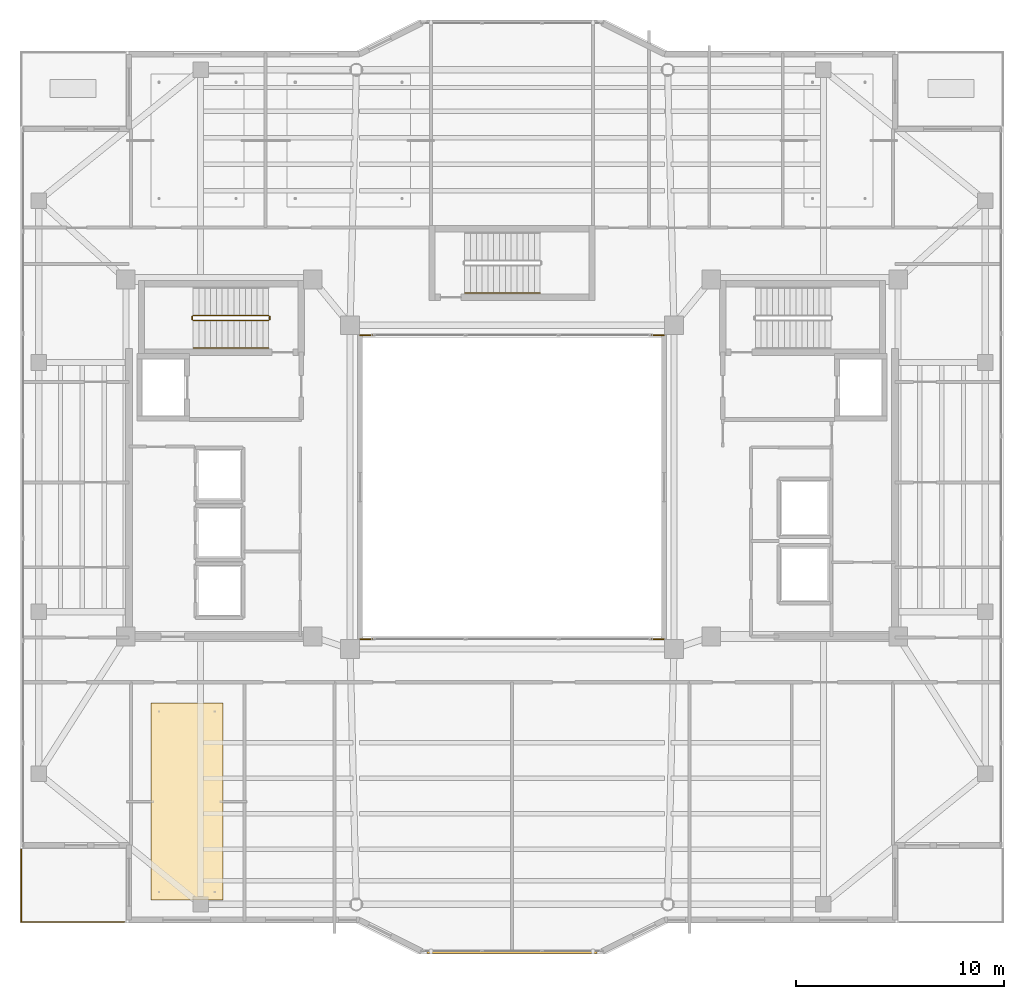
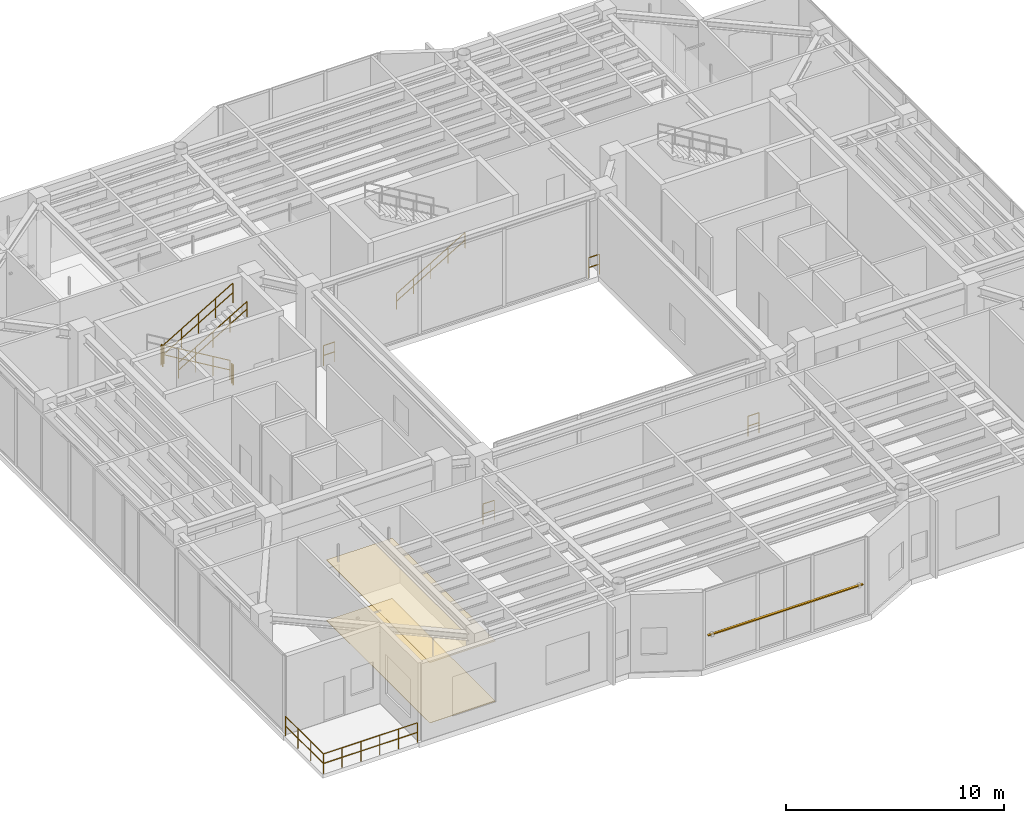
# One storey, part 31 of 34: 12 railings, 2 coverings, 1 shading device.
"""IFC4 building model written with IfcOpenShell, lengths in metres."""

from ifc_helpers import new_model, si_unit, direction, frame, origin, origin_2d, place, context, subcontext, project, spatial, polyline, rectangle, circle, outline, extrude, material, layer, layer_set, material_profile, profile_set, type_object, element, save


model = new_model("IFC4")

# Units and contexts
model_context = context("Model", 3, precision=1e-05, world=origin(), true_north=direction((0.0, 1.0)))
body_context = subcontext(model_context, "Body", "Model", "MODEL_VIEW")
ifc_project = project(units=[si_unit("LENGTHUNIT", "METRE"), si_unit("AREAUNIT", "SQUARE_METRE"), si_unit("VOLUMEUNIT", "CUBIC_METRE"), si_unit("PLANEANGLEUNIT", "RADIAN"), si_unit("MASSUNIT", "GRAM", prefix="KILO")], contexts=[model_context])

# Site, building, storey
site_placement = place(None, origin())
site = spatial("IfcSite", under=ifc_project, at=site_placement, CompositionType="ELEMENT")
building_placement = place(site_placement, origin())
building = spatial("IfcBuilding", under=site, at=building_placement, Name="Tarnavaz Court Tower", CompositionType="ELEMENT")
storey_placement = place(building_placement, frame((0.0, 0.0, 231.75)))
storey = spatial("IfcBuildingStorey", under=building, at=storey_placement, Name="L63", CompositionType="ELEMENT", Elevation=231.75)

# Coverings
ifc_material_1 = material(Name="Perforated Gypsum Acoustic Ceiling Tile", Category="masonry")
ifc_layer_1 = layer(ifc_material_1, 0.02490234375)
ifc_layer_set_1 = layer_set([ifc_layer_1], Name="Perforated Gypsum Acoustic Ceiling Tile")
covering_type_1 = type_object("IfcCoveringType", Name="CV-CEIL-AC", PredefinedType="CEILING", material=ifc_layer_set_1)
covering_1_placement = place(storey_placement, frame((0.0, 0.0, 3.3798828125)))
element("IfcCovering", 1, at=covering_1_placement, inside=storey, type_object=covering_type_1, Name="L63 L63 Daycare Classroom Suspended Acoustic Ceiling", PredefinedType="CEILING", context=body_context, shape_type="SweptSolid", body=[
    extrude(outline(polyline([(-17.39990234375, -19.89990234375), (-13.919921875, -19.89990234375), (-13.919921875, -10.409912109375), (-17.39990234375, -10.409912109375), (-17.39990234375, -19.89990234375)])), origin(), (0.0, 0.0, 1.0), 0.025146484375),
])
ifc_material_2 = material(Name="Glazed Khorasan Porcelain Floor Tile", Category="masonry")
ifc_layer_2 = layer(ifc_material_2, 0.02001953125)
ifc_layer_set_2 = layer_set([ifc_layer_2], Name="Glazed Khorasan Porcelain Floor Tile")
covering_type_2 = type_object("IfcCoveringType", Name="CV-FLR-PORC", PredefinedType="FLOORING", material=ifc_layer_set_2)
covering_2_placement = place(storey_placement, origin())
element("IfcCovering", 2, at=covering_2_placement, inside=storey, type_object=covering_type_2, Name="L63 L63 Daycare Classroom Porcelain Floor Finish", PredefinedType="FLOORING", context=body_context, shape_type="SweptSolid", body=[
    extrude(outline(polyline([(-17.39990234375, -19.89990234375), (-13.919921875, -19.89990234375), (-13.919921875, -10.409912109375), (-17.39990234375, -10.409912109375), (-17.39990234375, -19.89990234375)])), origin(), (0.0, 0.0, 1.0), 0.02001953125),
])

# Railings
ifc_material_3 = material(Name="Anodised Aluminium 6063-T6 and Laminated Safety Glass", Category="aluminium")
railing_type_1 = type_object("IfcRailingType", Name="RL-BAL-1120", PredefinedType="BALUSTRADE", material=ifc_material_3)
for number, where, name in (
    (3, (-7.320068359375, -7.320068359375, 0.0), "L63 Courtyard Corner Balustrade S-A"),
    (4, (6.719970703125, -7.320068359375, 0.0), "L63 Courtyard Corner Balustrade S-B"),
):
    element("IfcRailing", number, at=place(storey_placement, frame(where)), inside=storey, type_object=railing_type_1, Name=name, PredefinedType="BALUSTRADE", context=body_context, shape_type="SweptSolid", body=[
        extrude(circle(Radius=0.02392578125, at=origin_2d()), frame((0.0, 0.0, 1.1259765625), z_axis=(1.0, 0.0, 0.0), x_axis=(0.0, 1.0, 0.0)), (0.0, 0.0, 1.0), 0.60009765625),
        extrude(circle(Radius=0.02392578125, at=origin_2d()), frame((0.0, 0.0, 0.574951171875), z_axis=(1.0, 0.0, 0.0), x_axis=(0.0, 1.0, 0.0)), (0.0, 0.0, 1.0), 0.60009765625),
        extrude(circle(Radius=0.02099609375, at=origin_2d()), origin(), (0.0, 0.0, 1.0), 1.101806640625),
        extrude(circle(Radius=0.02099609375, at=origin_2d()), frame((0.60009765625, 0.0, 0.0)), (0.0, 0.0, 1.0), 1.101806640625),
    ])
for number, where, name in (
    (5, (7.320068359375, 7.320068359375, 0.0), "L63 Courtyard Corner Balustrade N-A"),
    (6, (-6.719970703125, 7.320068359375, 0.0), "L63 Courtyard Corner Balustrade N-B"),
):
    element("IfcRailing", number, at=place(storey_placement, frame(where)), inside=storey, type_object=railing_type_1, Name=name, PredefinedType="BALUSTRADE", context=body_context, shape_type="SweptSolid", body=[
        extrude(circle(Radius=0.02392578125, at=origin_2d()), frame((0.0, 0.0, 1.1259765625), z_axis=(-1.0, 0.0, 0.0), x_axis=(0.0, -1.0, 0.0)), (0.0, 0.0, 1.0), 0.60009765625),
        extrude(circle(Radius=0.02392578125, at=origin_2d()), frame((0.0, 0.0, 0.574951171875), z_axis=(-1.0, 0.0, 0.0), x_axis=(0.0, -1.0, 0.0)), (0.0, 0.0, 1.0), 0.60009765625),
        extrude(circle(Radius=0.02099609375, at=origin_2d()), origin(), (0.0, 0.0, 1.0), 1.101806640625),
        extrude(circle(Radius=0.02099609375, at=origin_2d()), frame((-0.60009765625, 0.0, 0.0)), (0.0, 0.0, 1.0), 1.101806640625),
    ])
railing_1_placement = place(storey_placement, frame((-23.639892578125, -20.93994140625, 0.0)))
element("IfcRailing", 7, at=railing_1_placement, inside=storey, type_object=railing_type_1, Name="L63 Terrace 4 S Perimeter Balustrade", PredefinedType="BALUSTRADE", context=body_context, shape_type="SweptSolid", body=[
    extrude(circle(Radius=0.02392578125, at=origin_2d()), frame((0.0, 0.0, 1.09619140625), z_axis=(1.0, 0.0, 0.0), x_axis=(0.0, 1.0, 0.0)), (0.0, 0.0, 1.0), 4.97998046875),
    extrude(circle(Radius=0.02392578125, at=origin_2d()), frame((0.0, 0.0, 0.56005859375), z_axis=(1.0, 0.0, 0.0), x_axis=(0.0, 1.0, 0.0)), (0.0, 0.0, 1.0), 4.97998046875),
    extrude(circle(Radius=0.02099609375, at=origin_2d()), origin(), (0.0, 0.0, 1.0), 1.072021484375),
    extrude(circle(Radius=0.02099609375, at=origin_2d()), frame((0.99609375, 0.0, 0.0)), (0.0, 0.0, 1.0), 1.072021484375),
    extrude(circle(Radius=0.02099609375, at=origin_2d()), frame((1.991943359375, 0.0, 0.0)), (0.0, 0.0, 1.0), 1.072021484375),
    extrude(circle(Radius=0.02099609375, at=origin_2d()), frame((2.988037109375, 0.0, 0.0)), (0.0, 0.0, 1.0), 1.072021484375),
    extrude(circle(Radius=0.02099609375, at=origin_2d()), frame((3.98388671875, 0.0, 0.0)), (0.0, 0.0, 1.0), 1.072021484375),
    extrude(circle(Radius=0.02099609375, at=origin_2d()), frame((4.97998046875, 0.0, 0.0)), (0.0, 0.0, 1.0), 1.072021484375),
])
railing_2_placement = place(storey_placement, frame((-23.639892578125, -17.4599609375, 0.0)))
element("IfcRailing", 8, at=railing_2_placement, inside=storey, type_object=railing_type_1, Name="L63 Terrace 4 W Perimeter Balustrade", PredefinedType="BALUSTRADE", context=body_context, shape_type="SweptSolid", body=[
    extrude(circle(Radius=0.02392578125, at=origin_2d()), frame((0.0, 0.0, 1.09619140625), z_axis=(0.0, -1.0, 0.0), x_axis=(1.0, 0.0, 0.0)), (0.0, 0.0, 1.0), 3.47998046875),
    extrude(circle(Radius=0.02392578125, at=origin_2d()), frame((0.0, 0.0, 0.56005859375), z_axis=(0.0, -1.0, 0.0), x_axis=(1.0, 0.0, 0.0)), (0.0, 0.0, 1.0), 3.47998046875),
    extrude(circle(Radius=0.02099609375, at=origin_2d()), origin(), (0.0, 0.0, 1.0), 1.072021484375),
    extrude(circle(Radius=0.02099609375, at=origin_2d()), frame((0.0, -1.159912109375, 0.0)), (0.0, 0.0, 1.0), 1.072021484375),
    extrude(circle(Radius=0.02099609375, at=origin_2d()), frame((0.0, -2.320068359375, 0.0)), (0.0, 0.0, 1.0), 1.072021484375),
    extrude(circle(Radius=0.02099609375, at=origin_2d()), frame((0.0, -3.47998046875, 0.0)), (0.0, 0.0, 1.0), 1.072021484375),
])
ifc_material_4 = material(Name="Brushed Stainless Steel", Category="steel")
railing_type_2 = type_object("IfcRailingType", Name="RL-HANDRAIL-900", PredefinedType="HANDRAIL", material=ifc_material_4)
for number, where, name in (
    (9, (-15.360107421875, 6.699951171875, 2.490966796875), "L63 ST-W1 stair handrail 2"),
    (10, (-2.280029296875, 9.35009765625, 0.166015625), "L63 ST-N1 stair handrail 1"),
):
    element("IfcRailing", number, at=place(storey_placement, frame(where)), inside=storey, type_object=railing_type_2, Name=name, PredefinedType="HANDRAIL", context=body_context, shape_type="SweptSolid", body=[
        extrude(circle(Radius=0.02392578125, at=origin_2d()), frame((0.0, 0.0, 0.8759765625), z_axis=(0.860103130531, 0.0, 0.510120186672), x_axis=(0.0, 1.0, 0.0)), (0.0, 0.0, 1.0), 4.232177734375),
        extrude(circle(Radius=0.02392578125, at=origin_2d()), frame((0.0, 0.0, 0.449951171875), z_axis=(0.860103130531, 0.0, 0.510120186672), x_axis=(0.0, 1.0, 0.0)), (0.0, 0.0, 1.0), 4.232177734375),
        extrude(circle(Radius=0.02099609375, at=origin_2d()), origin(), (0.0, 0.0, 1.0), 0.851806640625),
        extrude(circle(Radius=0.02099609375, at=origin_2d()), frame((0.91015625, 0.0, 0.539794921875)), (0.0, 0.0, 1.0), 0.851806640625),
        extrude(circle(Radius=0.02099609375, at=origin_2d()), frame((1.820068359375, 0.0, 1.07958984375)), (0.0, 0.0, 1.0), 0.851806640625),
        extrude(circle(Radius=0.02099609375, at=origin_2d()), frame((2.72998046875, 0.0, 1.619140625)), (0.0, 0.0, 1.0), 0.851806640625),
        extrude(circle(Radius=0.02099609375, at=origin_2d()), frame((3.64013671875, 0.0, 2.158935546875)), (0.0, 0.0, 1.0), 0.851806640625),
    ])
ifc_material_5 = material(Name="Galvanized Painted Tubular Steel", Category="steel")
railing_type_3 = type_object("IfcRailingType", Name="RL-STGUARD-1120", PredefinedType="GUARDRAIL", material=ifc_material_5)
railing_3_placement = place(storey_placement, frame((-11.719970703125, 8.27001953125, 0.166015625)))
element("IfcRailing", 11, at=railing_3_placement, inside=storey, type_object=railing_type_3, Name="L63 ST-W1 stair guard 1", PredefinedType="GUARDRAIL", context=body_context, shape_type="SweptSolid", body=[
    extrude(circle(Radius=0.02392578125, at=origin_2d()), frame((0.0, 0.0, 1.09619140625), z_axis=(-0.860103130531, 0.0, 0.510120186672), x_axis=(0.0, -1.0, 0.0)), (0.0, 0.0, 1.0), 4.232177734375),
    extrude(circle(Radius=0.02392578125, at=origin_2d()), frame((0.0, 0.0, 0.56005859375), z_axis=(-0.860103130531, 0.0, 0.510120186672), x_axis=(0.0, -1.0, 0.0)), (0.0, 0.0, 1.0), 4.232177734375),
    extrude(circle(Radius=0.02099609375, at=origin_2d()), origin(), (0.0, 0.0, 1.0), 1.072021484375),
    extrude(circle(Radius=0.02099609375, at=origin_2d()), frame((-0.91015625, 0.0, 0.539794921875)), (0.0, 0.0, 1.0), 1.072021484375),
    extrude(circle(Radius=0.02099609375, at=origin_2d()), frame((-1.820068359375, 0.0, 1.07958984375)), (0.0, 0.0, 1.0), 1.072021484375),
    extrude(circle(Radius=0.02099609375, at=origin_2d()), frame((-2.72998046875, 0.0, 1.619140625)), (0.0, 0.0, 1.0), 1.072021484375),
    extrude(circle(Radius=0.02099609375, at=origin_2d()), frame((-3.64013671875, 0.0, 2.158935546875)), (0.0, 0.0, 1.0), 1.072021484375),
])
railing_4_placement = place(storey_placement, frame((-15.409912109375, 8.219970703125, 2.324951171875)))
element("IfcRailing", 12, at=railing_4_placement, inside=storey, type_object=railing_type_3, Name="L63 ST-W1 stair guard 2", PredefinedType="GUARDRAIL", context=body_context, shape_type="SweptSolid", body=[
    extrude(circle(Radius=0.02392578125, at=origin_2d()), frame((0.0, 0.0, 1.09619140625), z_axis=(0.0, -1.0, 0.0), x_axis=(1.0, 0.0, 0.0)), (0.0, 0.0, 1.0), 0.14990234375),
    extrude(circle(Radius=0.02392578125, at=origin_2d()), frame((0.0, 0.0, 0.56005859375), z_axis=(0.0, -1.0, 0.0), x_axis=(1.0, 0.0, 0.0)), (0.0, 0.0, 1.0), 0.14990234375),
    extrude(circle(Radius=0.02099609375, at=origin_2d()), origin(), (0.0, 0.0, 1.0), 1.072021484375),
    extrude(circle(Radius=0.02099609375, at=origin_2d()), frame((0.0, -0.14990234375, 0.0)), (0.0, 0.0, 1.0), 1.072021484375),
])
railing_5_placement = place(storey_placement, frame((-15.360107421875, 8.02001953125, 2.490966796875)))
element("IfcRailing", 13, at=railing_5_placement, inside=storey, type_object=railing_type_3, Name="L63 ST-W1 stair guard 3", PredefinedType="GUARDRAIL", context=body_context, shape_type="SweptSolid", body=[
    extrude(circle(Radius=0.02392578125, at=origin_2d()), frame((0.0, 0.0, 1.09619140625), z_axis=(0.860103130531, 0.0, 0.510120186672), x_axis=(0.0, 1.0, 0.0)), (0.0, 0.0, 1.0), 4.232177734375),
    extrude(circle(Radius=0.02392578125, at=origin_2d()), frame((0.0, 0.0, 0.56005859375), z_axis=(0.860103130531, 0.0, 0.510120186672), x_axis=(0.0, 1.0, 0.0)), (0.0, 0.0, 1.0), 4.232177734375),
    extrude(circle(Radius=0.02099609375, at=origin_2d()), origin(), (0.0, 0.0, 1.0), 1.072021484375),
    extrude(circle(Radius=0.02099609375, at=origin_2d()), frame((0.91015625, 0.0, 0.539794921875)), (0.0, 0.0, 1.0), 1.072021484375),
    extrude(circle(Radius=0.02099609375, at=origin_2d()), frame((1.820068359375, 0.0, 1.07958984375)), (0.0, 0.0, 1.0), 1.072021484375),
    extrude(circle(Radius=0.02099609375, at=origin_2d()), frame((2.72998046875, 0.0, 1.619140625)), (0.0, 0.0, 1.0), 1.072021484375),
    extrude(circle(Radius=0.02099609375, at=origin_2d()), frame((3.64013671875, 0.0, 2.158935546875)), (0.0, 0.0, 1.0), 1.072021484375),
])
railing_6_placement = place(storey_placement, frame((-11.669921875, 8.219970703125, 0.0)))
element("IfcRailing", 14, at=railing_6_placement, inside=storey, type_object=railing_type_3, Name="L63 ST-W1 stair guard 4", PredefinedType="GUARDRAIL", context=body_context, shape_type="SweptSolid", body=[
    extrude(circle(Radius=0.02392578125, at=origin_2d()), frame((0.0, 0.0, 1.09619140625), z_axis=(0.0, -1.0, 0.0), x_axis=(1.0, 0.0, 0.0)), (0.0, 0.0, 1.0), 0.14990234375),
    extrude(circle(Radius=0.02392578125, at=origin_2d()), frame((0.0, 0.0, 0.56005859375), z_axis=(0.0, -1.0, 0.0), x_axis=(1.0, 0.0, 0.0)), (0.0, 0.0, 1.0), 0.14990234375),
    extrude(circle(Radius=0.02099609375, at=origin_2d()), origin(), (0.0, 0.0, 1.0), 1.072021484375),
    extrude(circle(Radius=0.02099609375, at=origin_2d()), frame((0.0, -0.14990234375, 0.0)), (0.0, 0.0, 1.0), 1.072021484375),
])

# Shading device
ifc_material_6 = material(Name="Kiln-Fired Khorasan Terracotta Ceramic", Category="masonry")
ifc_material_profile = material_profile(ifc_material_6, rectangle(XDim=0.1201171875, YDim=0.06005859375, at=origin_2d()), Name="TC BAGUETTE 120X60")
ifc_profile_set = profile_set([ifc_material_profile], Name="Kiln-Fired Khorasan Terracotta Ceramic")
shading_device_type = type_object("IfcShadingDeviceType", Name="SD-BAG-120", PredefinedType="USERDEFINED", material=ifc_profile_set)
shading_device_placement = place(storey_placement, frame((4.10009765625, -22.409912109375, 1.800048828125), z_axis=(-1.0, 0.0, 0.0), x_axis=(0.0, -1.0, 0.0)))
element("IfcShadingDevice", 15, at=shading_device_placement, inside=storey, type_object=shading_device_type, Name="L63 Terracotta Baguette Screen PBG17", ObjectType="BAGUETTE", PredefinedType="USERDEFINED", context=body_context, shape_type="SweptSolid", body=[
    extrude(rectangle(XDim=0.1201171875, YDim=0.06005859375, at=origin_2d()), origin(), (0.0, 0.0, 1.0), 8.2001953125),
])

save(model, "model.ifc")
